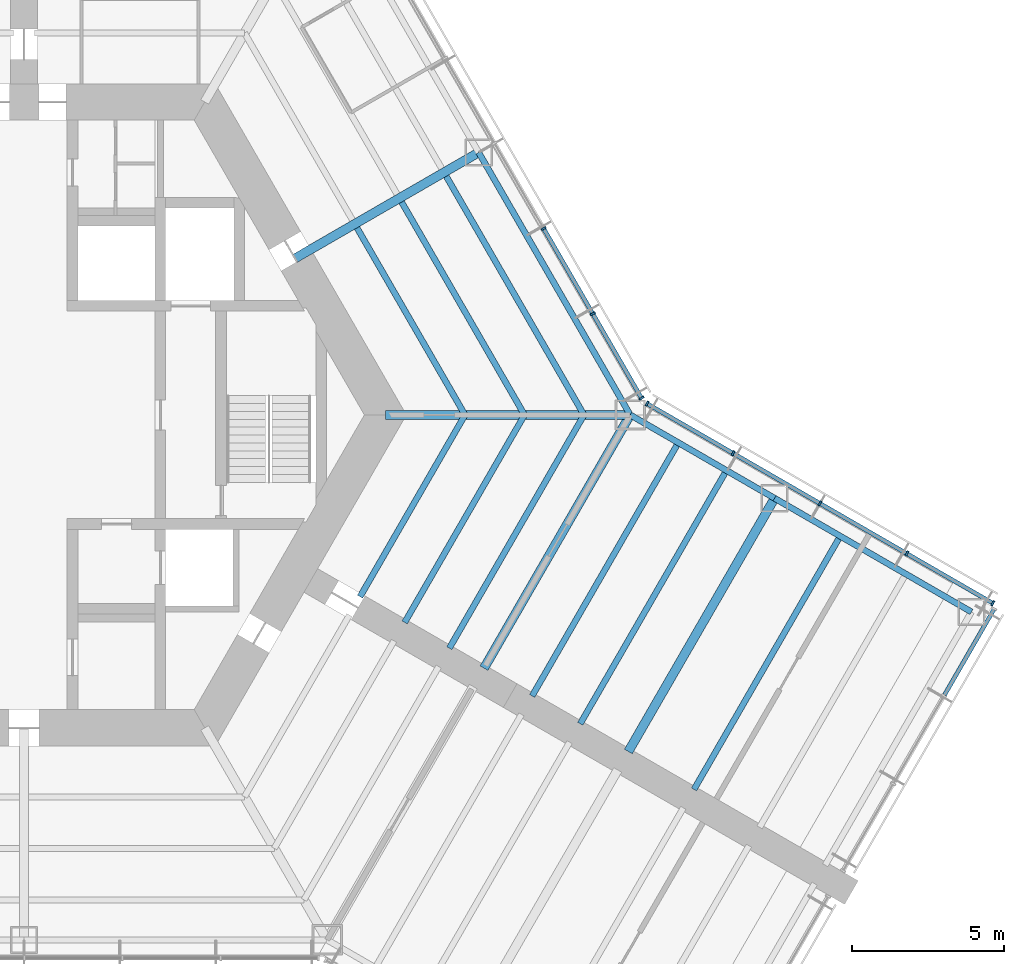
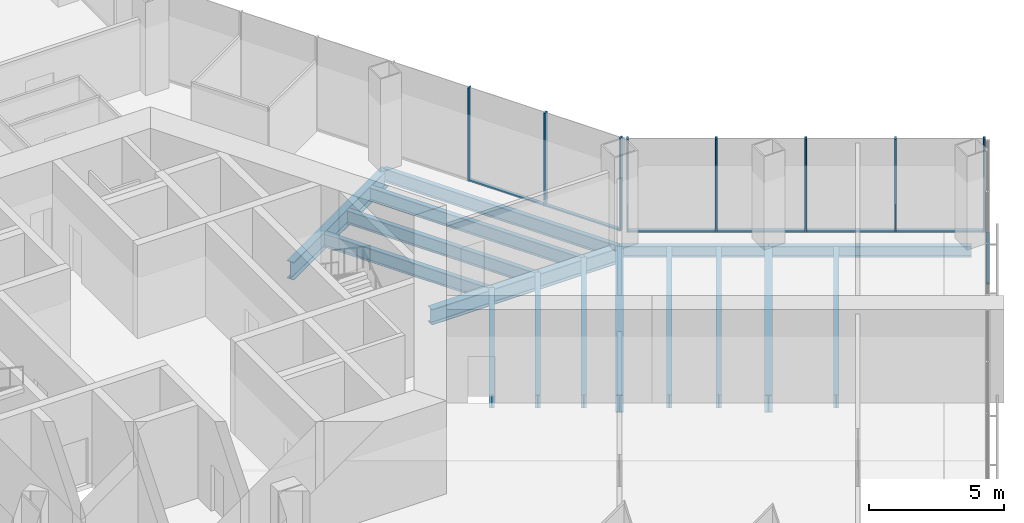
# One storey, part 5 of 16: 16 beams, 15 members, 3 elements without a shape of their own.
"""IFC4 building model written with IfcOpenShell, lengths in metres."""

from ifc_helpers import new_model, si_unit, direction, frame, origin, origin_2d, place, context, subcontext, project, spatial, rectangle, i_section, extrude, material, material_profile, profile_set, type_object, element, aggregate, save


model = new_model("IFC4")

# Units and contexts
model_context = context("Model", 3, precision=1e-05, world=origin(), true_north=direction((0.0, 1.0)))
body_context = subcontext(model_context, "Body", "Model", "MODEL_VIEW")
ifc_project = project(units=[si_unit("LENGTHUNIT", "METRE"), si_unit("AREAUNIT", "SQUARE_METRE"), si_unit("VOLUMEUNIT", "CUBIC_METRE"), si_unit("PLANEANGLEUNIT", "RADIAN"), si_unit("MASSUNIT", "GRAM", prefix="KILO")], contexts=[model_context])

# Site, building, storey
site_placement = place(None, origin())
site = spatial("IfcSite", under=ifc_project, at=site_placement, CompositionType="ELEMENT")
building_placement = place(site_placement, origin())
building = spatial("IfcBuilding", under=site, at=building_placement, Name="Kasaneha Research Tower", CompositionType="ELEMENT")
storey_placement = place(building_placement, frame((0.0, 0.0, 10.0)))
storey = spatial("IfcBuildingStorey", under=building, at=storey_placement, Name="L03", CompositionType="ELEMENT", Elevation=10.0)

# Beams
ifc_material_1 = material(Name="Steel SN490B", Category="steel")
ifc_material_profile_1 = material_profile(ifc_material_1, i_section(OverallWidth=0.199951171875, OverallDepth=0.60009765625, WebThickness=0.010986328125, FlangeThickness=0.01708984375, FilletRadius=0.012939453125, at=origin_2d()), Name="H-600x200x11x17")
ifc_profile_set_1 = profile_set([ifc_material_profile_1], Name="Steel SN490B")
beam_type_1 = type_object("IfcBeamType", Name="B1-1 secondary beam H-600x200x11x17", PredefinedType="JOIST", material=ifc_profile_set_1)
beam_1_placement = place(storey_placement, frame((14.54931640625, 0.0, -0.5), z_axis=(-0.500016104636, 0.866016105569, 0.0), x_axis=(-0.866016105569, -0.500016104636, 0.0)))
element("IfcBeam", 1, at=beam_1_placement, inside=storey, type_object=beam_type_1, Name="Secondary beam RS030L1 L03", PredefinedType="JOIST", context=body_context, shape_type="SweptSolid", body=[
    extrude(i_section(OverallWidth=0.199951171875, OverallDepth=0.60009765625, WebThickness=0.010986328125, FlangeThickness=0.01708984375, FilletRadius=0.012939453125, at=origin_2d()), origin(), (0.0, 0.0, 1.0), 7.124755859375),
])
beam_2_placement = place(storey_placement, frame((16.51220703125, 0.0, -0.5), z_axis=(-0.49999707157, 0.866027094508, 0.0), x_axis=(-0.866027094508, -0.49999707157, 0.0)))
element("IfcBeam", 2, at=beam_2_placement, inside=storey, type_object=beam_type_1, Name="Secondary beam RS030L2 L03", PredefinedType="JOIST", context=body_context, shape_type="SweptSolid", body=[
    extrude(i_section(OverallWidth=0.199951171875, OverallDepth=0.60009765625, WebThickness=0.010986328125, FlangeThickness=0.01708984375, FilletRadius=0.012939453125, at=origin_2d()), origin(), (0.0, 0.0, 1.0), 8.10595703125),
])
beam_3_placement = place(storey_placement, frame((18.47509765625, 0.0, -0.5), z_axis=(-0.499990665392, 0.866030793056, 0.0), x_axis=(-0.866030793056, -0.499990665392, 0.0)))
element("IfcBeam", 3, at=beam_3_placement, inside=storey, type_object=beam_type_1, Name="Secondary beam RS030L3 L03", PredefinedType="JOIST", context=body_context, shape_type="SweptSolid", body=[
    extrude(i_section(OverallWidth=0.199951171875, OverallDepth=0.60009765625, WebThickness=0.010986328125, FlangeThickness=0.01708984375, FilletRadius=0.012939453125, at=origin_2d()), origin(), (0.0, 0.0, 1.0), 9.087646484375),
])
beam_4_placement = place(storey_placement, frame((14.54931640625, 0.0, -0.5), z_axis=(-0.500014420154, -0.866017078145, 0.0), x_axis=(0.866017078145, -0.500014420154, 0.0)))
element("IfcBeam", 4, at=beam_4_placement, inside=storey, type_object=beam_type_1, Name="Secondary beam RS330R1 L03", PredefinedType="JOIST", context=body_context, shape_type="SweptSolid", body=[
    extrude(i_section(OverallWidth=0.199951171875, OverallDepth=0.60009765625, WebThickness=0.010986328125, FlangeThickness=0.01708984375, FilletRadius=0.012939453125, at=origin_2d()), origin(), (0.0, 0.0, 1.0), 6.924560546875),
])
beam_5_placement = place(storey_placement, frame((16.51220703125, 0.0, -0.5), z_axis=(-0.500004902938, -0.866022573054, 0.0), x_axis=(0.866022573054, -0.500004902938, 0.0)))
element("IfcBeam", 5, at=beam_5_placement, inside=storey, type_object=beam_type_1, Name="Secondary beam RS330R2 L03", PredefinedType="JOIST", context=body_context, shape_type="SweptSolid", body=[
    extrude(i_section(OverallWidth=0.199951171875, OverallDepth=0.60009765625, WebThickness=0.010986328125, FlangeThickness=0.01708984375, FilletRadius=0.012939453125, at=origin_2d()), origin(), (0.0, 0.0, 1.0), 7.90625),
])
beam_6_placement = place(storey_placement, frame((18.47509765625, 0.0, -0.5), z_axis=(-0.499988779951, -0.866031881586, 0.0), x_axis=(0.866031881586, -0.499988779951, 0.0)))
element("IfcBeam", 6, at=beam_6_placement, inside=storey, type_object=beam_type_1, Name="Secondary beam RS330R3 L03", PredefinedType="JOIST", context=body_context, shape_type="SweptSolid", body=[
    extrude(i_section(OverallWidth=0.199951171875, OverallDepth=0.60009765625, WebThickness=0.010986328125, FlangeThickness=0.01708984375, FilletRadius=0.012939453125, at=origin_2d()), origin(), (0.0, 0.0, 1.0), 8.887451171875),
])
ifc_material_2 = material(Name="Steel SN490B", Category="steel")
ifc_material_profile_2 = material_profile(ifc_material_2, i_section(OverallWidth=0.198974609375, OverallDepth=0.595947265625, WebThickness=0.010009765625, FlangeThickness=0.014892578125, FilletRadius=0.012939453125, at=origin_2d()), Name="H-596x199x10x15")
ifc_profile_set_2 = profile_set([ifc_material_profile_2], Name="Steel SN490B")
beam_type_2 = type_object("IfcBeamType", Name="B2-1 secondary beam H-596x199x10x15", PredefinedType="JOIST", material=ifc_profile_set_2)
beam_7_placement = place(storey_placement, frame((21.587646484375, -0.916748046875, -0.498046875), z_axis=(-0.499994742786, -0.866028439017, 0.0), x_axis=(0.866028439017, -0.499994742786, 0.0)))
element("IfcBeam", 7, at=beam_7_placement, inside=storey, type_object=beam_type_2, Name="Secondary beam WBCN1 L03", PredefinedType="JOIST", context=body_context, shape_type="SweptSolid", body=[
    extrude(i_section(OverallWidth=0.198974609375, OverallDepth=0.595947265625, WebThickness=0.010009765625, FlangeThickness=0.014892578125, FilletRadius=0.012939453125, at=origin_2d()), origin(), (0.0, 0.0, 1.0), 9.64990234375),
])
beam_8_placement = place(storey_placement, frame((23.175537109375, -1.833251953125, -0.498046875), z_axis=(-0.500013717211, -0.866017484004, 0.0), x_axis=(0.866017484004, -0.500013717211, 0.0)))
element("IfcBeam", 8, at=beam_8_placement, inside=storey, type_object=beam_type_2, Name="Secondary beam WBCN2 L03", PredefinedType="JOIST", context=body_context, shape_type="SweptSolid", body=[
    extrude(i_section(OverallWidth=0.198974609375, OverallDepth=0.595947265625, WebThickness=0.010009765625, FlangeThickness=0.014892578125, FilletRadius=0.012939453125, at=origin_2d()), origin(), (0.0, 0.0, 1.0), 9.650146484375),
])
beam_9_placement = place(storey_placement, frame((26.92822265625, -4.0, -0.498046875), z_axis=(-0.499994742786, -0.866028439017, 0.0), x_axis=(0.866028439017, -0.499994742786, 0.0)))
element("IfcBeam", 9, at=beam_9_placement, inside=storey, type_object=beam_type_2, Name="Secondary beam WBCN3 L03", PredefinedType="JOIST", context=body_context, shape_type="SweptSolid", body=[
    extrude(i_section(OverallWidth=0.198974609375, OverallDepth=0.595947265625, WebThickness=0.010009765625, FlangeThickness=0.014892578125, FilletRadius=0.012939453125, at=origin_2d()), origin(), (0.0, 0.0, 1.0), 9.64990234375),
])

# Curtain wall, members
ifc_material_3 = material(Name="Glass and aluminium", Category="aluminium")
curtain_wall_type = type_object("IfcCurtainWallType", Name="Wet laboratory curtain wall", PredefinedType="USERDEFINED", material=ifc_material_3)
curtain_wall_1_placement = place(storey_placement, origin())
curtain_wall_1 = element("IfcCurtainWall", 10, at=curtain_wall_1_placement, inside=storey, type_object=curtain_wall_type, Name="CW-L1 L03 run 06a", ObjectType="UNITISED CURTAIN WALL", PredefinedType="USERDEFINED")
ifc_material_4 = material(Name="Aluminium 6063-T6", Category="aluminium")
ifc_material_profile_3 = material_profile(ifc_material_4, rectangle(XDim=0.06494140625, YDim=0.179931640625, at=origin_2d()), Name="CW-L1 mullion 65x180")
ifc_profile_set_3 = profile_set([ifc_material_profile_3], Name="Aluminium 6063-T6")
member_type_1 = type_object("IfcMemberType", Name="CW-L1 mullion", PredefinedType="MULLION", material=ifc_profile_set_3)
member_1_placement = place(storey_placement, frame((31.963134765625, -6.214111328125, 0.0), z_axis=(0.0, 0.0, 1.0), x_axis=(-0.866025411464, 0.499999986699, 0.0)))
member_1 = element("IfcMember", 11, at=member_1_placement, type_object=member_type_1, Name="CW-L1 mullion 1", PredefinedType="MULLION", context=body_context, shape_type="SweptSolid", body=[
    extrude(rectangle(XDim=0.06494140625, YDim=0.179931640625, at=origin_2d()), origin(), (0.0, 0.0, 1.0), 4.199951171875),
])
member_2_placement = place(storey_placement, frame((29.125, -4.575439453125, 0.0), z_axis=(0.0, 0.0, 1.0), x_axis=(-0.866025411464, 0.499999986699, 0.0)))
member_2 = element("IfcMember", 12, at=member_2_placement, type_object=member_type_1, Name="CW-L1 mullion 2", PredefinedType="MULLION", context=body_context, shape_type="SweptSolid", body=[
    extrude(rectangle(XDim=0.06494140625, YDim=0.179931640625, at=origin_2d()), origin(), (0.0, 0.0, 1.0), 4.199951171875),
])
member_3_placement = place(storey_placement, frame((26.258544921875, -2.920654296875, 0.0), z_axis=(0.0, 0.0, 1.0), x_axis=(-0.866025411464, 0.499999986699, 0.0)))
member_3 = element("IfcMember", 13, at=member_3_placement, type_object=member_type_1, Name="CW-L1 mullion 3", PredefinedType="MULLION", context=body_context, shape_type="SweptSolid", body=[
    extrude(rectangle(XDim=0.06494140625, YDim=0.179931640625, at=origin_2d()), origin(), (0.0, 0.0, 1.0), 4.199951171875),
])
member_4_placement = place(storey_placement, frame((23.39208984375, -1.265625, 0.0), z_axis=(0.0, 0.0, 1.0), x_axis=(-0.866025411464, 0.499999986699, 0.0)))
member_4 = element("IfcMember", 14, at=member_4_placement, type_object=member_type_1, Name="CW-L1 mullion 4", PredefinedType="MULLION", context=body_context, shape_type="SweptSolid", body=[
    extrude(rectangle(XDim=0.06494140625, YDim=0.179931640625, at=origin_2d()), origin(), (0.0, 0.0, 1.0), 4.199951171875),
])
member_5_placement = place(storey_placement, frame((20.553955078125, 0.373046875, 0.0), z_axis=(0.0, 0.0, 1.0), x_axis=(-0.866025411464, 0.499999986699, 0.0)))
member_5 = element("IfcMember", 15, at=member_5_placement, type_object=member_type_1, Name="CW-L1 mullion 5", PredefinedType="MULLION", context=body_context, shape_type="SweptSolid", body=[
    extrude(rectangle(XDim=0.06494140625, YDim=0.179931640625, at=origin_2d()), origin(), (0.0, 0.0, 1.0), 4.199951171875),
])

curtain_wall_2_placement = place(storey_placement, origin())
curtain_wall_2 = element("IfcCurtainWall", 16, at=curtain_wall_2_placement, inside=storey, type_object=curtain_wall_type, Name="CW-L1 L03 run 07a", ObjectType="UNITISED CURTAIN WALL", PredefinedType="USERDEFINED")
member_6_placement = place(storey_placement, frame((20.373046875, 0.553955078125, 0.0), z_axis=(0.0, 0.0, 1.0), x_axis=(-0.49999996188, 0.866025425793, 0.0)))
member_6 = element("IfcMember", 17, at=member_6_placement, type_object=member_type_1, Name="CW-L1 mullion 1", PredefinedType="MULLION", context=body_context, shape_type="SweptSolid", body=[
    extrude(rectangle(XDim=0.06494140625, YDim=0.179931640625, at=origin_2d()), origin(), (0.0, 0.0, 1.0), 4.199951171875),
])
member_7_placement = place(storey_placement, frame((18.76611328125, 3.33740234375, 0.0), z_axis=(0.0, 0.0, 1.0), x_axis=(-0.49999996188, 0.866025425793, 0.0)))
member_7 = element("IfcMember", 18, at=member_7_placement, type_object=member_type_1, Name="CW-L1 mullion 2", PredefinedType="MULLION", context=body_context, shape_type="SweptSolid", body=[
    extrude(rectangle(XDim=0.06494140625, YDim=0.179931640625, at=origin_2d()), origin(), (0.0, 0.0, 1.0), 4.199951171875),
])
member_8_placement = place(storey_placement, frame((17.142822265625, 6.148681640625, 0.0), z_axis=(0.0, 0.0, 1.0), x_axis=(-0.49999996188, 0.866025425793, 0.0)))
member_8 = element("IfcMember", 19, at=member_8_placement, type_object=member_type_1, Name="CW-L1 mullion 3", PredefinedType="MULLION", context=body_context, shape_type="SweptSolid", body=[
    extrude(rectangle(XDim=0.06494140625, YDim=0.179931640625, at=origin_2d()), origin(), (0.0, 0.0, 1.0), 4.199951171875),
])

# Curtain wall, member
curtain_wall_3_placement = place(storey_placement, origin())
curtain_wall_3 = element("IfcCurtainWall", 20, at=curtain_wall_3_placement, inside=storey, type_object=curtain_wall_type, Name="CW-L1 L03 run 05a", ObjectType="UNITISED CURTAIN WALL", PredefinedType="USERDEFINED")
ifc_material_5 = material(Name="Aluminium 6063-T6", Category="aluminium")
ifc_material_profile_4 = material_profile(ifc_material_5, rectangle(XDim=0.139892578125, YDim=0.06494140625, at=origin_2d()), Name="CW-L1 transom 140x65")
ifc_profile_set_4 = profile_set([ifc_material_profile_4], Name="Aluminium 6063-T6")
member_type_2 = type_object("IfcMemberType", Name="CW-L1 transom", PredefinedType="USERDEFINED", material=ifc_profile_set_4)
member_9_placement = place(storey_placement, frame((30.369140625, -9.239990234375, 0.032470703125), z_axis=(0.500006189695, 0.866021830133, 0.0), x_axis=(-0.866021830133, 0.500006189695, 0.0)))
member_9 = element("IfcMember", 21, at=member_9_placement, type_object=member_type_2, Name="CW-L1 transom 3", ObjectType="TRANSOM", PredefinedType="USERDEFINED", context=body_context, shape_type="SweptSolid", body=[
    extrude(rectangle(XDim=0.139892578125, YDim=0.06494140625, at=origin_2d()), origin(), (0.0, 0.0, 1.0), 3.25244140625),
])
aggregate(curtain_wall_3, [member_9])

# Member
member_10_placement = place(storey_placement, frame((31.93505859375, -6.197998046875, 0.032470703125), z_axis=(-0.866022320763, 0.500005339912, 0.0), x_axis=(-0.500005339912, -0.866022320763, 0.0)))
member_10 = element("IfcMember", 22, at=member_10_placement, type_object=member_type_2, Name="CW-L1 transom 1", ObjectType="TRANSOM", PredefinedType="USERDEFINED", context=body_context, shape_type="SweptSolid", body=[
    extrude(rectangle(XDim=0.139892578125, YDim=0.06494140625, at=origin_2d()), origin(), (0.0, 0.0, 1.0), 3.21240234375),
])

member_11_placement = place(storey_placement, frame((29.096923828125, -4.559326171875, 0.032470703125), z_axis=(-0.866021460221, 0.500006830391, 0.0), x_axis=(-0.500006830391, -0.866021460221, 0.0)))
member_11 = element("IfcMember", 23, at=member_11_placement, type_object=member_type_2, Name="CW-L1 transom 2", ObjectType="TRANSOM", PredefinedType="USERDEFINED", context=body_context, shape_type="SweptSolid", body=[
    extrude(rectangle(XDim=0.139892578125, YDim=0.06494140625, at=origin_2d()), origin(), (0.0, 0.0, 1.0), 3.2451171875),
])

member_12_placement = place(storey_placement, frame((26.23046875, -2.904296875, 0.032470703125), z_axis=(-0.866035229914, 0.499982980259, 0.0), x_axis=(-0.499982980259, -0.866035229914, 0.0)))
member_12 = element("IfcMember", 24, at=member_12_placement, type_object=member_type_2, Name="CW-L1 transom 3", ObjectType="TRANSOM", PredefinedType="USERDEFINED", context=body_context, shape_type="SweptSolid", body=[
    extrude(rectangle(XDim=0.139892578125, YDim=0.06494140625, at=origin_2d()), origin(), (0.0, 0.0, 1.0), 3.24462890625),
])

member_13_placement = place(storey_placement, frame((23.364013671875, -1.24951171875, 0.032470703125), z_axis=(-0.866022320763, 0.500005339912, 0.0), x_axis=(-0.500005339912, -0.866022320763, 0.0)))
member_13 = element("IfcMember", 25, at=member_13_placement, type_object=member_type_2, Name="CW-L1 transom 4", ObjectType="TRANSOM", PredefinedType="USERDEFINED", context=body_context, shape_type="SweptSolid", body=[
    extrude(rectangle(XDim=0.139892578125, YDim=0.06494140625, at=origin_2d()), origin(), (0.0, 0.0, 1.0), 3.21240234375),
])

aggregate(curtain_wall_1, [member_1, member_2, member_3, member_4, member_5, member_10, member_11, member_12, member_13])

member_14_placement = place(storey_placement, frame((20.356689453125, 0.58203125, 0.032470703125), z_axis=(-0.49999985423, 0.866025487945, 0.0), x_axis=(-0.866025487945, -0.49999985423, 0.0)))
member_14 = element("IfcMember", 26, at=member_14_placement, type_object=member_type_2, Name="CW-L1 transom 1", ObjectType="TRANSOM", PredefinedType="USERDEFINED", context=body_context, shape_type="SweptSolid", body=[
    extrude(rectangle(XDim=0.139892578125, YDim=0.06494140625, at=origin_2d()), origin(), (0.0, 0.0, 1.0), 3.14892578125),
])

member_15_placement = place(storey_placement, frame((18.749755859375, 3.365478515625, 0.032470703125), z_axis=(-0.499977104415, 0.866038622153, 0.0), x_axis=(-0.866038622153, -0.499977104415, 0.0)))
member_15 = element("IfcMember", 27, at=member_15_placement, type_object=member_type_2, Name="CW-L1 transom 2", ObjectType="TRANSOM", PredefinedType="USERDEFINED", context=body_context, shape_type="SweptSolid", body=[
    extrude(rectangle(XDim=0.139892578125, YDim=0.06494140625, at=origin_2d()), origin(), (0.0, 0.0, 1.0), 3.181396484375),
])

aggregate(curtain_wall_2, [member_6, member_7, member_8, member_14, member_15])

# Beams
ifc_material_6 = material(Name="Steel SN490B", Category="steel")
ifc_material_profile_5 = material_profile(ifc_material_6, i_section(OverallWidth=0.300048828125, OverallDepth=0.699951171875, WebThickness=0.012939453125, FlangeThickness=0.02392578125, FilletRadius=0.01806640625, at=origin_2d()), Name="H-700x300x13x24")
ifc_profile_set_5 = profile_set([ifc_material_profile_5], Name="Steel SN490B")
beam_type_3 = type_object("IfcBeamType", Name="G1-1 radial girder H-700x300x13x24", PredefinedType="BEAM", material=ifc_profile_set_5)
beam_10_placement = place(storey_placement, frame((11.92236328125, 0.0, -0.550048828125), z_axis=(1.0, 0.0, 0.0), x_axis=(0.0, 1.0, 0.0)))
element("IfcBeam", 28, at=beam_10_placement, inside=storey, type_object=beam_type_3, Name="Radial girder RV000 L03", PredefinedType="BEAM", context=body_context, shape_type="SweptSolid", body=[
    extrude(i_section(OverallWidth=0.300048828125, OverallDepth=0.699951171875, WebThickness=0.012939453125, FlangeThickness=0.02392578125, FilletRadius=0.01806640625, at=origin_2d()), origin(), (0.0, 0.0, 1.0), 8.07763671875),
])
ifc_material_7 = material(Name="Steel SN490B", Category="steel")
ifc_material_profile_6 = material_profile(ifc_material_7, i_section(OverallWidth=0.300048828125, OverallDepth=0.800048828125, WebThickness=0.013916015625, FlangeThickness=0.02587890625, FilletRadius=0.01806640625, at=origin_2d()), Name="H-800x300x14x26")
ifc_profile_set_6 = profile_set([ifc_material_profile_6], Name="Steel SN490B")
beam_type_4 = type_object("IfcBeamType", Name="G2-1 radial girder H-800x300x14x26", PredefinedType="BEAM", material=ifc_profile_set_6)
beam_11_placement = place(storey_placement, frame((8.941650390625, 5.16259765625, -0.60009765625), z_axis=(0.866039713508, 0.499975214012, 0.0), x_axis=(-0.499975214012, 0.866039713508, 0.0)))
element("IfcBeam", 29, at=beam_11_placement, inside=storey, type_object=beam_type_4, Name="Radial girder RM030 L03", PredefinedType="BEAM", context=body_context, shape_type="SweptSolid", body=[
    extrude(i_section(OverallWidth=0.300048828125, OverallDepth=0.800048828125, WebThickness=0.013916015625, FlangeThickness=0.02587890625, FilletRadius=0.01806640625, at=origin_2d()), origin(), (0.0, 0.0, 1.0), 6.995361328125),
])
ifc_material_8 = material(Name="Steel SN490B", Category="steel")
ifc_material_profile_7 = material_profile(ifc_material_8, i_section(OverallWidth=0.300048828125, OverallDepth=0.7919921875, WebThickness=0.013916015625, FlangeThickness=0.02197265625, FilletRadius=0.01806640625, at=origin_2d()), Name="H-792x300x14x22")
ifc_profile_set_7 = profile_set([ifc_material_profile_7], Name="Steel SN490B")
beam_type_5 = type_object("IfcBeamType", Name="G3-1 plate edge girder H-792x300x14x22", PredefinedType="BEAM", material=ifc_profile_set_7)
beam_12_placement = place(storey_placement, frame((20.0, 0.0, -0.595947265625), z_axis=(-0.499994742786, -0.866028439017, 0.0), x_axis=(0.866028439017, -0.499994742786, 0.0)))
element("IfcBeam", 30, at=beam_12_placement, inside=storey, type_object=beam_type_5, Name="Plate edge girder PECN L03", PredefinedType="BEAM", context=body_context, shape_type="SweptSolid", body=[
    extrude(i_section(OverallWidth=0.300048828125, OverallDepth=0.7919921875, WebThickness=0.013916015625, FlangeThickness=0.02197265625, FilletRadius=0.01806640625, at=origin_2d()), origin(), (0.0, 0.0, 1.0), 9.64990234375),
])
ifc_material_9 = material(Name="Steel SN490B", Category="steel")
ifc_material_profile_8 = material_profile(ifc_material_9, i_section(OverallWidth=0.300048828125, OverallDepth=0.800048828125, WebThickness=0.013916015625, FlangeThickness=0.02587890625, FilletRadius=0.01806640625, at=origin_2d()), Name="H-800x300x14x26")
ifc_profile_set_8 = profile_set([ifc_material_profile_8], Name="Steel SN490B")
beam_type_6 = type_object("IfcBeamType", Name="G4-1 wing girder H-800x300x14x26", PredefinedType="BEAM", material=ifc_profile_set_8)
beam_13_placement = place(storey_placement, frame((24.76318359375, -2.75, -0.60009765625), z_axis=(-0.499994742786, -0.866028439017, 0.0), x_axis=(0.866028439017, -0.499994742786, 0.0)))
element("IfcBeam", 31, at=beam_13_placement, inside=storey, type_object=beam_type_6, Name="Wing girder WGCN L03", PredefinedType="BEAM", context=body_context, shape_type="SweptSolid", body=[
    extrude(i_section(OverallWidth=0.300048828125, OverallDepth=0.800048828125, WebThickness=0.013916015625, FlangeThickness=0.02587890625, FilletRadius=0.01806640625, at=origin_2d()), origin(), (0.0, 0.0, 1.0), 9.64990234375),
])
ifc_material_10 = material(Name="Steel SN490B", Category="steel")
ifc_material_profile_9 = material_profile(ifc_material_10, i_section(OverallWidth=0.199951171875, OverallDepth=0.60009765625, WebThickness=0.010986328125, FlangeThickness=0.01708984375, FilletRadius=0.012939453125, at=origin_2d()), Name="H-600x200x11x17")
ifc_profile_set_9 = profile_set([ifc_material_profile_9], Name="Steel SN490B")
beam_type_7 = type_object("IfcBeamType", Name="SB1-1 spandrel beam H-600x200x11x17", PredefinedType="SPANDREL", material=ifc_profile_set_9)
beam_14_placement = place(storey_placement, frame((20.0, 0.0, -0.5), z_axis=(-0.500004234368, 0.866022959057, 0.0), x_axis=(-0.866022959057, -0.500004234368, 0.0)))
element("IfcBeam", 32, at=beam_14_placement, inside=storey, type_object=beam_type_7, Name="Spandrel beam SR030L L03", PredefinedType="SPANDREL", context=body_context, shape_type="SweptSolid", body=[
    extrude(i_section(OverallWidth=0.199951171875, OverallDepth=0.60009765625, WebThickness=0.010986328125, FlangeThickness=0.01708984375, FilletRadius=0.012939453125, at=origin_2d()), origin(), (0.0, 0.0, 1.0), 10.0),
])
ifc_material_11 = material(Name="Steel SN490B", Category="steel")
ifc_material_profile_10 = material_profile(ifc_material_11, i_section(OverallWidth=0.199951171875, OverallDepth=0.5, WebThickness=0.010009765625, FlangeThickness=0.01611328125, FilletRadius=0.012939453125, at=origin_2d()), Name="H-500x200x10x16")
ifc_profile_set_10 = profile_set([ifc_material_profile_10], Name="Steel SN490B")
beam_type_8 = type_object("IfcBeamType", Name="SB2-1 spandrel beam H-500x200x10x16", PredefinedType="SPANDREL", material=ifc_profile_set_10)
beam_15_placement = place(storey_placement, frame((20.0, 0.0, -0.449951171875), z_axis=(0.866027397988, -0.499996545922, 0.0), x_axis=(0.499996545922, 0.866027397988, 0.0)))
element("IfcBeam", 33, at=beam_15_placement, inside=storey, type_object=beam_type_8, Name="Spandrel beam WSCN1 L03", PredefinedType="SPANDREL", context=body_context, shape_type="SweptSolid", body=[
    extrude(i_section(OverallWidth=0.199951171875, OverallDepth=0.5, WebThickness=0.010009765625, FlangeThickness=0.01611328125, FilletRadius=0.012939453125, at=origin_2d()), origin(), (0.0, 0.0, 1.0), 5.5),
])
beam_16_placement = place(storey_placement, frame((24.76318359375, -2.75, -0.449951171875), z_axis=(0.866022959057, -0.500004234368, 0.0), x_axis=(0.500004234368, 0.866022959057, 0.0)))
element("IfcBeam", 34, at=beam_16_placement, inside=storey, type_object=beam_type_8, Name="Spandrel beam WSCN2 L03", PredefinedType="SPANDREL", context=body_context, shape_type="SweptSolid", body=[
    extrude(i_section(OverallWidth=0.199951171875, OverallDepth=0.5, WebThickness=0.010009765625, FlangeThickness=0.01611328125, FilletRadius=0.012939453125, at=origin_2d()), origin(), (0.0, 0.0, 1.0), 7.5),
])

save(model, "model.ifc")
